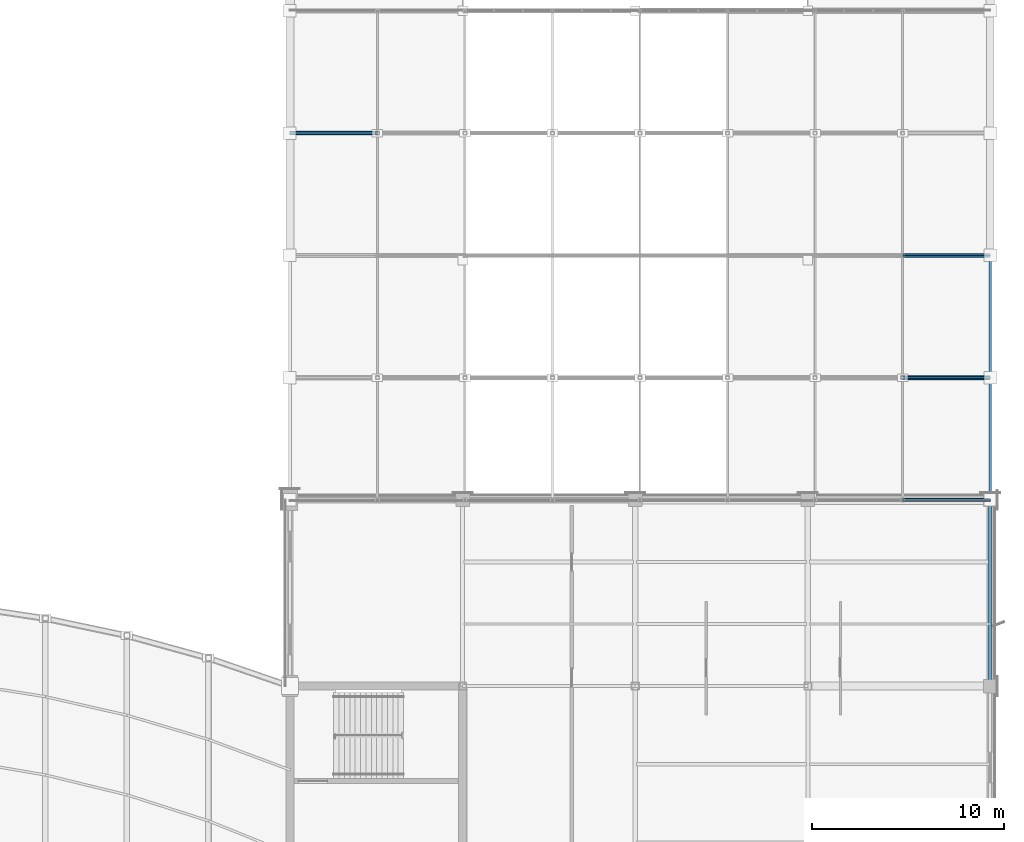
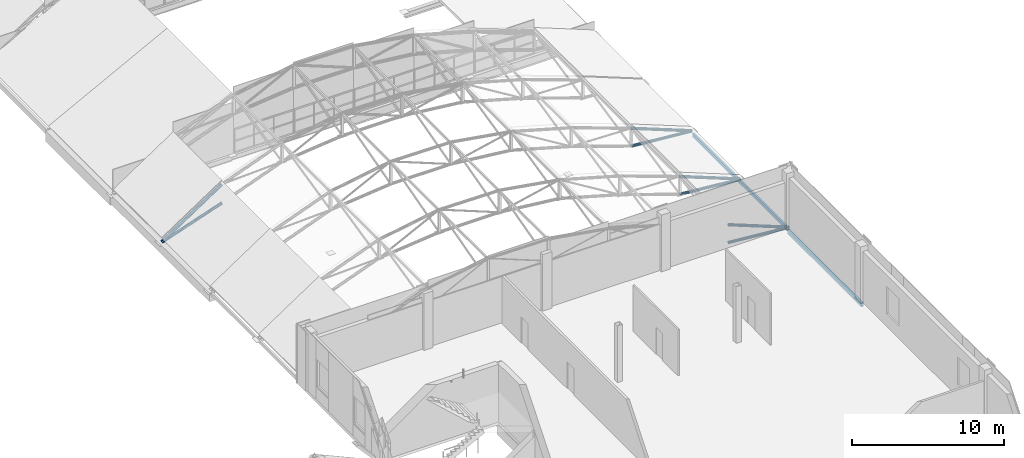
# One storey, part 53 of 101: 8 members, 2 beams.
"""IFC4 building model written with IfcOpenShell, lengths in metres."""

from ifc_helpers import new_model, si_unit, direction, frame, origin, origin_2d, place, context, subcontext, project, spatial, hollow_rectangle, hollow_circle, extrude, material, material_profile, profile_set, type_object, element, save


model = new_model("IFC4")

# Units and contexts
model_context = context("Model", 3, precision=1e-05, world=origin(), true_north=direction((0.0, 1.0)))
body_context = subcontext(model_context, "Body", "Model", "MODEL_VIEW")
ifc_project = project(units=[si_unit("LENGTHUNIT", "METRE"), si_unit("AREAUNIT", "SQUARE_METRE"), si_unit("VOLUMEUNIT", "CUBIC_METRE"), si_unit("PLANEANGLEUNIT", "RADIAN"), si_unit("MASSUNIT", "GRAM", prefix="KILO")], contexts=[model_context])

# Site, building, storey
site_placement = place(None, origin())
site = spatial("IfcSite", under=ifc_project, at=site_placement, CompositionType="ELEMENT")
building_placement = place(site_placement, origin())
building = spatial("IfcBuilding", under=site, at=building_placement, Name="Solvikara Media Centre", CompositionType="ELEMENT")
storey_placement = place(building_placement, frame((0.0, 0.0, 10.199951171875)))
storey = spatial("IfcBuildingStorey", under=building, at=storey_placement, Name="L02", CompositionType="ELEMENT", Elevation=10.199951171875)

# Beams
ifc_material = material(Name="Steel S355JR", Category="steel")
ifc_material_profile_1 = material_profile(ifc_material, hollow_rectangle(XDim=0.159912109375, YDim=0.320068359375, WallThickness=0.010009765625, at=origin_2d()), Name="RHS 320x160x10")
ifc_profile_set_1 = profile_set([ifc_material_profile_1], Name="Steel S355JR")
beam_type_1 = type_object("IfcBeamType", Name="BM-45", PredefinedType="SPANDREL", material=ifc_profile_set_1)
beam_1_placement = place(storey_placement, frame((164.0, 36.800048828125, -0.40185546875), z_axis=(0.0, 1.0, 0.0), x_axis=(-1.0, 0.0, 0.0)))
element("IfcBeam", 1, at=beam_1_placement, inside=storey, type_object=beam_type_1, Name="B-L02-Y0999", PredefinedType="SPANDREL", context=body_context, shape_type="SweptSolid", body=[
    extrude(hollow_rectangle(XDim=0.159912109375, YDim=0.320068359375, WallThickness=0.010009765625, at=origin_2d()), origin(), (0.0, 0.0, 1.0), 9.699951171875),
])
ifc_material_profile_2 = material_profile(ifc_material, hollow_rectangle(XDim=0.139892578125, YDim=0.280029296875, WallThickness=0.008056640625, at=origin_2d()), Name="RHS 280x140x8")
ifc_profile_set_2 = profile_set([ifc_material_profile_2], Name="Steel S355JR")
beam_type_2 = type_object("IfcBeamType", Name="BM-46", PredefinedType="SPANDREL", material=ifc_profile_set_2)
beam_2_placement = place(storey_placement, frame((164.0, 46.5, -0.239990234375), z_axis=(0.0, 1.0, 0.0), x_axis=(-1.0, 0.0, 0.0)))
element("IfcBeam", 2, at=beam_2_placement, inside=storey, type_object=beam_type_2, Name="B-L02-Y1000", PredefinedType="SPANDREL", context=body_context, shape_type="SweptSolid", body=[
    extrude(hollow_rectangle(XDim=0.139892578125, YDim=0.280029296875, WallThickness=0.008056640625, at=origin_2d()), origin(), (0.0, 0.0, 1.0), 12.5),
])

# Members
ifc_material_profile_3 = material_profile(ifc_material, hollow_circle(Radius=0.109619140625, WallThickness=0.008056640625, at=origin_2d()), Name="CHS 219.1x8")
ifc_profile_set_3 = profile_set([ifc_material_profile_3], Name="Steel S355JR")
member_type = type_object("IfcMemberType", Name="MB-05", PredefinedType="CHORD", material=ifc_profile_set_3)
member_1_placement = place(storey_placement, frame((159.43798828125, 46.5, 1.72412109375), z_axis=(0.930767233936, 0.0, -0.365612303173), x_axis=(0.0, 1.0, 0.0)))
element("IfcMember", 3, at=member_1_placement, inside=storey, type_object=member_type, Name="BSA-TC-00-07", PredefinedType="CHORD", context=body_context, shape_type="SweptSolid", body=[
    extrude(hollow_circle(Radius=0.109619140625, WallThickness=0.008056640625, at=origin_2d()), origin(), (0.0, 0.0, 1.0), 4.9013671875),
])
member_2_placement = place(storey_placement, frame((159.43798828125, 46.5, 0.300048828125), z_axis=(0.996179932838, 0.0, -0.087324346034), x_axis=(0.0, 1.0, 0.0)))
element("IfcMember", 4, at=member_2_placement, inside=storey, type_object=member_type, Name="BSA-BC-00-07", PredefinedType="CHORD", context=body_context, shape_type="SweptSolid", body=[
    extrude(hollow_circle(Radius=0.109619140625, WallThickness=0.008056640625, at=origin_2d()), origin(), (0.0, 0.0, 1.0), 4.57958984375),
])
member_3_placement = place(storey_placement, frame((159.43798828125, 52.875, 1.72412109375), z_axis=(0.930767233936, 0.0, -0.365612303173), x_axis=(0.0, 1.0, 0.0)))
element("IfcMember", 5, at=member_3_placement, inside=storey, type_object=member_type, Name="BSA-TC-01-07", PredefinedType="CHORD", context=body_context, shape_type="SweptSolid", body=[
    extrude(hollow_circle(Radius=0.109619140625, WallThickness=0.008056640625, at=origin_2d()), origin(), (0.0, 0.0, 1.0), 4.9013671875),
])
member_4_placement = place(storey_placement, frame((159.43798828125, 52.875, 0.300048828125), z_axis=(0.996179932838, 0.0, -0.087324346034), x_axis=(0.0, 1.0, 0.0)))
element("IfcMember", 6, at=member_4_placement, inside=storey, type_object=member_type, Name="BSA-BC-01-07", PredefinedType="CHORD", context=body_context, shape_type="SweptSolid", body=[
    extrude(hollow_circle(Radius=0.109619140625, WallThickness=0.008056640625, at=origin_2d()), origin(), (0.0, 0.0, 1.0), 4.57958984375),
])
member_5_placement = place(storey_placement, frame((159.43798828125, 59.25, 1.72412109375), z_axis=(0.930767233936, 0.0, -0.365612303173), x_axis=(0.0, 1.0, 0.0)))
element("IfcMember", 7, at=member_5_placement, inside=storey, type_object=member_type, Name="BSA-TC-02-07", PredefinedType="CHORD", context=body_context, shape_type="SweptSolid", body=[
    extrude(hollow_circle(Radius=0.109619140625, WallThickness=0.008056640625, at=origin_2d()), origin(), (0.0, 0.0, 1.0), 4.9013671875),
])
member_6_placement = place(storey_placement, frame((159.43798828125, 59.25, 0.300048828125), z_axis=(0.996179932838, 0.0, -0.087324346034), x_axis=(0.0, 1.0, 0.0)))
element("IfcMember", 8, at=member_6_placement, inside=storey, type_object=member_type, Name="BSA-BC-02-07", PredefinedType="CHORD", context=body_context, shape_type="SweptSolid", body=[
    extrude(hollow_circle(Radius=0.109619140625, WallThickness=0.008056640625, at=origin_2d()), origin(), (0.0, 0.0, 1.0), 4.57958984375),
])
member_7_placement = place(storey_placement, frame((127.5, 65.625, -0.06787109375), z_axis=(0.83335162007, 0.0, 0.55274322911), x_axis=(0.0, 1.0, 0.0)))
element("IfcMember", 9, at=member_7_placement, inside=storey, type_object=member_type, Name="BSA-TC-03-00", PredefinedType="CHORD", context=body_context, shape_type="SweptSolid", body=[
    extrude(hollow_circle(Radius=0.109619140625, WallThickness=0.008056640625, at=origin_2d()), origin(), (0.0, 0.0, 1.0), 5.474365234375),
])
member_8_placement = place(storey_placement, frame((127.5, 65.625, -0.099853515625), z_axis=(0.946343434254, 0.0, 0.323162659423), x_axis=(0.0, 1.0, 0.0)))
element("IfcMember", 10, at=member_8_placement, inside=storey, type_object=member_type, Name="BSA-BC-03-00", PredefinedType="CHORD", context=body_context, shape_type="SweptSolid", body=[
    extrude(hollow_circle(Radius=0.109619140625, WallThickness=0.008056640625, at=origin_2d()), origin(), (0.0, 0.0, 1.0), 4.820556640625),
])

save(model, "model.ifc")
